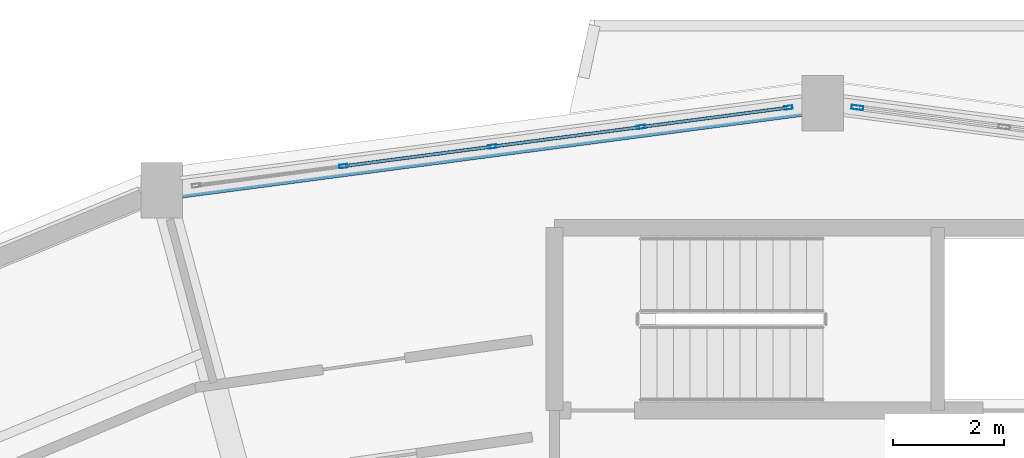
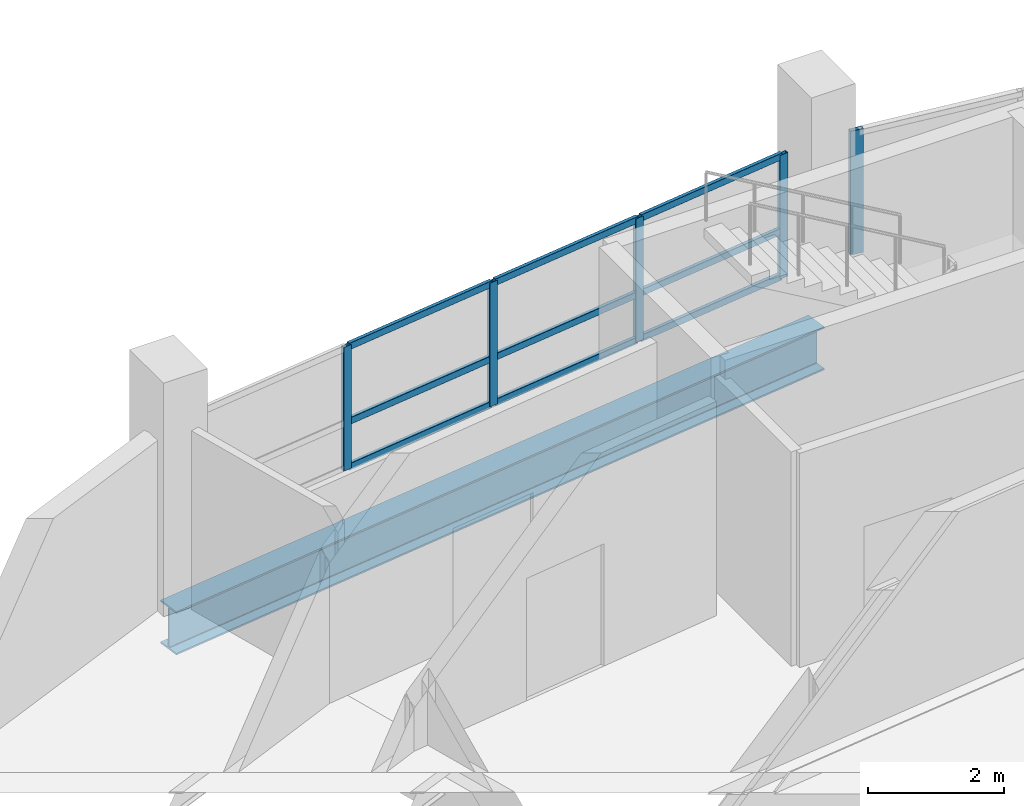
# One storey, part 67 of 128: 14 members, 1 beam, 2 elements without a shape of their own.
"""IFC4 building model written with IfcOpenShell, lengths in metres."""

from ifc_helpers import new_model, si_unit, direction, frame, origin, origin_2d, place, context, subcontext, project, spatial, hollow_rectangle, i_section, extrude, material, layer, layer_set, material_profile, profile_set, type_object, element, aggregate, save


model = new_model("IFC4")

# Units and contexts
model_context = context("Model", 3, precision=1e-05, world=origin(), true_north=direction((0.0, 1.0)))
body_context = subcontext(model_context, "Body", "Model", "MODEL_VIEW")
ifc_project = project(units=[si_unit("LENGTHUNIT", "METRE"), si_unit("AREAUNIT", "SQUARE_METRE"), si_unit("VOLUMEUNIT", "CUBIC_METRE"), si_unit("PLANEANGLEUNIT", "RADIAN"), si_unit("MASSUNIT", "GRAM", prefix="KILO")], contexts=[model_context])

# Site, building, storey
site_placement = place(None, origin())
site = spatial("IfcSite", under=ifc_project, at=site_placement, CompositionType="ELEMENT")
building_placement = place(site_placement, origin())
building = spatial("IfcBuilding", under=site, at=building_placement, Name="Vespera Passage Community Centre", CompositionType="ELEMENT")
storey_placement = place(building_placement, frame((0.0, 0.0, 4.5)))
storey = spatial("IfcBuildingStorey", under=building, at=storey_placement, Name="L01", CompositionType="ELEMENT", Elevation=4.5)

# Beam
ifc_material_1 = material(Name="Steel ASTM A992 Grade 50", Category="steel")
ifc_material_profile_1 = material_profile(ifc_material_1, i_section(OverallWidth=0.382080078125, OverallDepth=0.779296875, WebThickness=0.01806640625, FlangeThickness=0.030029296875, FilletRadius=0.0166015625, at=origin_2d()), Name="W30X191")
ifc_profile_set_1 = profile_set([ifc_material_profile_1], Name="Steel ASTM A992 Grade 50")
beam_type = type_object("IfcBeamType", Name="BM-SP-W30X191E", PredefinedType="SPANDREL", material=ifc_profile_set_1)
beam_placement = place(storey_placement, frame((78.0, 111.60009765625, -0.629638671875), z_axis=(-0.991445178667, -0.130523782115, 0.0), x_axis=(0.130523782115, -0.991445178667, 0.0)))
element("IfcBeam", 1, at=beam_placement, inside=storey, type_object=beam_type, Name="V4 L01 Outer Spandrel 6", PredefinedType="SPANDREL", context=body_context, shape_type="SweptSolid", body=[
    extrude(i_section(OverallWidth=0.382080078125, OverallDepth=0.779296875, WebThickness=0.01806640625, FlangeThickness=0.030029296875, FilletRadius=0.0166015625, at=origin_2d()), origin(), (0.0, 0.0, 1.0), 12.03466796875),
])

# Curtain wall, members
ifc_material_2 = material(Name="Anodized aluminium 6063-T6", Category="aluminium")
ifc_layer_1 = layer(ifc_material_2, 0.159912109375)
ifc_layer_set_1 = layer_set([ifc_layer_1], Name="Anodized aluminium 6063-T6")
curtain_wall_type_1 = type_object("IfcCurtainWallType", Name="CW-15E", PredefinedType="NOTDEFINED", material=ifc_layer_set_1)
curtain_wall_1_placement = place(storey_placement, origin())
curtain_wall_1 = element("IfcCurtainWall", 2, at=curtain_wall_1_placement, inside=storey, type_object=curtain_wall_type_1, Name="V4 L01 Outer Ribbon Curtain Wall 6", PredefinedType="NOTDEFINED")
ifc_material_3 = material(Name="Anodized aluminium 6063-T6", Category="aluminium")
ifc_material_profile_2 = material_profile(ifc_material_3, hollow_rectangle(XDim=0.06494140625, YDim=0.14990234375, WallThickness=0.00390625, InnerFilletRadius=0.001953125, OuterFilletRadius=0.00390625, at=origin_2d()), Name="ALU150X65X4")
ifc_profile_set_2 = profile_set([ifc_material_profile_2], Name="Anodized aluminium 6063-T6")
member_type_1 = type_object("IfcMemberType", Name="MB-CWM-150E", PredefinedType="MULLION", material=ifc_profile_set_2)
member_1_placement = place(storey_placement, frame((69.345458984375, 110.460693359375, 0.820068359375), z_axis=(0.0, 0.0, 1.0), x_axis=(-0.130530818696, 0.991444252276, 0.0)))
member_1 = element("IfcMember", 3, at=member_1_placement, type_object=member_type_1, Name="CW-15E mullion 2", PredefinedType="MULLION", context=body_context, shape_type="SweptSolid", body=[
    extrude(hollow_rectangle(XDim=0.06494140625, YDim=0.14990234375, WallThickness=0.00390625, InnerFilletRadius=0.001953125, OuterFilletRadius=0.00390625, at=origin_2d()), origin(), (0.0, 0.0, 1.0), 2.2255859375),
])
member_2_placement = place(storey_placement, frame((72.0341796875, 110.814697265625, 0.820068359375), z_axis=(0.0, 0.0, 1.0), x_axis=(-0.130530818696, 0.991444252276, 0.0)))
member_2 = element("IfcMember", 4, at=member_2_placement, type_object=member_type_1, Name="CW-15E mullion 3", PredefinedType="MULLION", context=body_context, shape_type="SweptSolid", body=[
    extrude(hollow_rectangle(XDim=0.06494140625, YDim=0.14990234375, WallThickness=0.00390625, InnerFilletRadius=0.001953125, OuterFilletRadius=0.00390625, at=origin_2d()), origin(), (0.0, 0.0, 1.0), 2.2255859375),
])
member_3_placement = place(storey_placement, frame((74.722900390625, 111.168701171875, 0.820068359375), z_axis=(0.0, 0.0, 1.0), x_axis=(-0.130530818696, 0.991444252276, 0.0)))
member_3 = element("IfcMember", 5, at=member_3_placement, type_object=member_type_1, Name="CW-15E mullion 4", PredefinedType="MULLION", context=body_context, shape_type="SweptSolid", body=[
    extrude(hollow_rectangle(XDim=0.06494140625, YDim=0.14990234375, WallThickness=0.00390625, InnerFilletRadius=0.001953125, OuterFilletRadius=0.00390625, at=origin_2d()), origin(), (0.0, 0.0, 1.0), 2.2255859375),
])
member_4_placement = place(storey_placement, frame((77.379638671875, 111.518310546875, 0.820068359375), z_axis=(0.0, 0.0, 1.0), x_axis=(-0.130530818696, 0.991444252276, 0.0)))
member_4 = element("IfcMember", 6, at=member_4_placement, type_object=member_type_1, Name="CW-15E mullion 5", PredefinedType="MULLION", context=body_context, shape_type="SweptSolid", body=[
    extrude(hollow_rectangle(XDim=0.06494140625, YDim=0.14990234375, WallThickness=0.00390625, InnerFilletRadius=0.001953125, OuterFilletRadius=0.00390625, at=origin_2d()), origin(), (0.0, 0.0, 1.0), 2.2255859375),
])

# Curtain wall, member
ifc_material_4 = material(Name="Anodized aluminium 6063-T6", Category="aluminium")
ifc_layer_2 = layer(ifc_material_4, 0.159912109375)
ifc_layer_set_2 = layer_set([ifc_layer_2], Name="Anodized aluminium 6063-T6")
curtain_wall_type_2 = type_object("IfcCurtainWallType", Name="CW-13E", PredefinedType="NOTDEFINED", material=ifc_layer_set_2)
curtain_wall_2_placement = place(storey_placement, origin())
curtain_wall_2 = element("IfcCurtainWall", 7, at=curtain_wall_2_placement, inside=storey, type_object=curtain_wall_type_2, Name="V4 L01 Outer Ribbon Curtain Wall 5", PredefinedType="NOTDEFINED")
ifc_material_5 = material(Name="Anodized aluminium 6063-T6", Category="aluminium")
ifc_material_profile_3 = material_profile(ifc_material_5, hollow_rectangle(XDim=0.074951171875, YDim=0.2099609375, WallThickness=0.0048828125, InnerFilletRadius=0.00244140625, OuterFilletRadius=0.0048828125, at=origin_2d()), Name="ALU210X75X5")
ifc_profile_set_3 = profile_set([ifc_material_profile_3], Name="Anodized aluminium 6063-T6")
member_type_2 = type_object("IfcMemberType", Name="MB-CWM-210E", PredefinedType="MULLION", material=ifc_profile_set_3)
member_5_placement = place(storey_placement, frame((78.62548828125, 111.517822265625, 0.820068359375), z_axis=(0.0, 0.0, 1.0), x_axis=(0.130530818696, 0.991444252276, 0.0)))
member_5 = element("IfcMember", 8, at=member_5_placement, type_object=member_type_2, Name="CW-13E mullion 1", PredefinedType="MULLION", context=body_context, shape_type="SweptSolid", body=[
    extrude(hollow_rectangle(XDim=0.074951171875, YDim=0.2099609375, WallThickness=0.0048828125, InnerFilletRadius=0.00244140625, OuterFilletRadius=0.0048828125, at=origin_2d()), origin(), (0.0, 0.0, 1.0), 2.2255859375),
])
aggregate(curtain_wall_2, [member_5])

# Member
ifc_material_6 = material(Name="Anodized aluminium 6063-T6", Category="aluminium")
ifc_material_profile_4 = material_profile(ifc_material_6, hollow_rectangle(XDim=0.06005859375, YDim=0.1201171875, WallThickness=0.00390625, InnerFilletRadius=0.001953125, OuterFilletRadius=0.00390625, at=origin_2d()), Name="ALU120X60X4")
ifc_profile_set_4 = profile_set([ifc_material_profile_4], Name="Anodized aluminium 6063-T6")
member_type_3 = type_object("IfcMemberType", Name="MB-CWT-120E", PredefinedType="USERDEFINED", material=ifc_profile_set_4)
member_6_placement = place(storey_placement, frame((69.377685546875, 110.46484375, 0.85009765625), z_axis=(0.991446445198, 0.130514161313, 0.0), x_axis=(-0.130514161313, 0.991446445198, 0.0)))
member_6 = element("IfcMember", 9, at=member_6_placement, type_object=member_type_3, Name="CW-15E transom 2.1", ObjectType="TRANSOM", PredefinedType="USERDEFINED", context=body_context, shape_type="SweptSolid", body=[
    extrude(hollow_rectangle(XDim=0.06005859375, YDim=0.1201171875, WallThickness=0.00390625, InnerFilletRadius=0.001953125, OuterFilletRadius=0.00390625, at=origin_2d()), origin(), (0.0, 0.0, 1.0), 2.64697265625),
])

member_7_placement = place(storey_placement, frame((69.377685546875, 110.46484375, 1.669921875), z_axis=(0.991446445198, 0.130514161313, 0.0), x_axis=(-0.130514161313, 0.991446445198, 0.0)))
member_7 = element("IfcMember", 10, at=member_7_placement, type_object=member_type_3, Name="CW-15E transom 2.2", ObjectType="TRANSOM", PredefinedType="USERDEFINED", context=body_context, shape_type="SweptSolid", body=[
    extrude(hollow_rectangle(XDim=0.06005859375, YDim=0.1201171875, WallThickness=0.00390625, InnerFilletRadius=0.001953125, OuterFilletRadius=0.00390625, at=origin_2d()), origin(), (0.0, 0.0, 1.0), 2.64697265625),
])

member_8_placement = place(storey_placement, frame((69.377685546875, 110.46484375, 3.015625), z_axis=(0.991446445198, 0.130514161313, 0.0), x_axis=(-0.130514161313, 0.991446445198, 0.0)))
member_8 = element("IfcMember", 11, at=member_8_placement, type_object=member_type_3, Name="CW-15E transom 2.3", ObjectType="TRANSOM", PredefinedType="USERDEFINED", context=body_context, shape_type="SweptSolid", body=[
    extrude(hollow_rectangle(XDim=0.06005859375, YDim=0.1201171875, WallThickness=0.00390625, InnerFilletRadius=0.001953125, OuterFilletRadius=0.00390625, at=origin_2d()), origin(), (0.0, 0.0, 1.0), 2.64697265625),
])

member_9_placement = place(storey_placement, frame((72.06640625, 110.81884765625, 0.85009765625), z_axis=(0.991446445198, 0.130514161313, 0.0), x_axis=(-0.130514161313, 0.991446445198, 0.0)))
member_9 = element("IfcMember", 12, at=member_9_placement, type_object=member_type_3, Name="CW-15E transom 3.1", ObjectType="TRANSOM", PredefinedType="USERDEFINED", context=body_context, shape_type="SweptSolid", body=[
    extrude(hollow_rectangle(XDim=0.06005859375, YDim=0.1201171875, WallThickness=0.00390625, InnerFilletRadius=0.001953125, OuterFilletRadius=0.00390625, at=origin_2d()), origin(), (0.0, 0.0, 1.0), 2.64697265625),
])

member_10_placement = place(storey_placement, frame((72.06640625, 110.81884765625, 1.669921875), z_axis=(0.991446445198, 0.130514161313, 0.0), x_axis=(-0.130514161313, 0.991446445198, 0.0)))
member_10 = element("IfcMember", 13, at=member_10_placement, type_object=member_type_3, Name="CW-15E transom 3.2", ObjectType="TRANSOM", PredefinedType="USERDEFINED", context=body_context, shape_type="SweptSolid", body=[
    extrude(hollow_rectangle(XDim=0.06005859375, YDim=0.1201171875, WallThickness=0.00390625, InnerFilletRadius=0.001953125, OuterFilletRadius=0.00390625, at=origin_2d()), origin(), (0.0, 0.0, 1.0), 2.64697265625),
])

member_11_placement = place(storey_placement, frame((72.06640625, 110.81884765625, 3.015625), z_axis=(0.991446445198, 0.130514161313, 0.0), x_axis=(-0.130514161313, 0.991446445198, 0.0)))
member_11 = element("IfcMember", 14, at=member_11_placement, type_object=member_type_3, Name="CW-15E transom 3.3", ObjectType="TRANSOM", PredefinedType="USERDEFINED", context=body_context, shape_type="SweptSolid", body=[
    extrude(hollow_rectangle(XDim=0.06005859375, YDim=0.1201171875, WallThickness=0.00390625, InnerFilletRadius=0.001953125, OuterFilletRadius=0.00390625, at=origin_2d()), origin(), (0.0, 0.0, 1.0), 2.64697265625),
])

member_12_placement = place(storey_placement, frame((74.755126953125, 111.1728515625, 0.85009765625), z_axis=(0.991443486455, 0.130536635342, 0.0), x_axis=(-0.130536635342, 0.991443486455, 0.0)))
member_12 = element("IfcMember", 15, at=member_12_placement, type_object=member_type_3, Name="CW-15E transom 4.1", ObjectType="TRANSOM", PredefinedType="USERDEFINED", context=body_context, shape_type="SweptSolid", body=[
    extrude(hollow_rectangle(XDim=0.06005859375, YDim=0.1201171875, WallThickness=0.00390625, InnerFilletRadius=0.001953125, OuterFilletRadius=0.00390625, at=origin_2d()), origin(), (0.0, 0.0, 1.0), 2.61474609375),
])

member_13_placement = place(storey_placement, frame((74.755126953125, 111.1728515625, 1.669921875), z_axis=(0.991443486455, 0.130536635342, 0.0), x_axis=(-0.130536635342, 0.991443486455, 0.0)))
member_13 = element("IfcMember", 16, at=member_13_placement, type_object=member_type_3, Name="CW-15E transom 4.2", ObjectType="TRANSOM", PredefinedType="USERDEFINED", context=body_context, shape_type="SweptSolid", body=[
    extrude(hollow_rectangle(XDim=0.06005859375, YDim=0.1201171875, WallThickness=0.00390625, InnerFilletRadius=0.001953125, OuterFilletRadius=0.00390625, at=origin_2d()), origin(), (0.0, 0.0, 1.0), 2.61474609375),
])

member_14_placement = place(storey_placement, frame((74.755126953125, 111.1728515625, 3.015625), z_axis=(0.991443486455, 0.130536635342, 0.0), x_axis=(-0.130536635342, 0.991443486455, 0.0)))
member_14 = element("IfcMember", 17, at=member_14_placement, type_object=member_type_3, Name="CW-15E transom 4.3", ObjectType="TRANSOM", PredefinedType="USERDEFINED", context=body_context, shape_type="SweptSolid", body=[
    extrude(hollow_rectangle(XDim=0.06005859375, YDim=0.1201171875, WallThickness=0.00390625, InnerFilletRadius=0.001953125, OuterFilletRadius=0.00390625, at=origin_2d()), origin(), (0.0, 0.0, 1.0), 2.61474609375),
])

aggregate(curtain_wall_1, [member_1, member_2, member_3, member_4, member_6, member_7, member_8, member_9, member_10, member_11, member_12, member_13, member_14])

save(model, "model.ifc")
